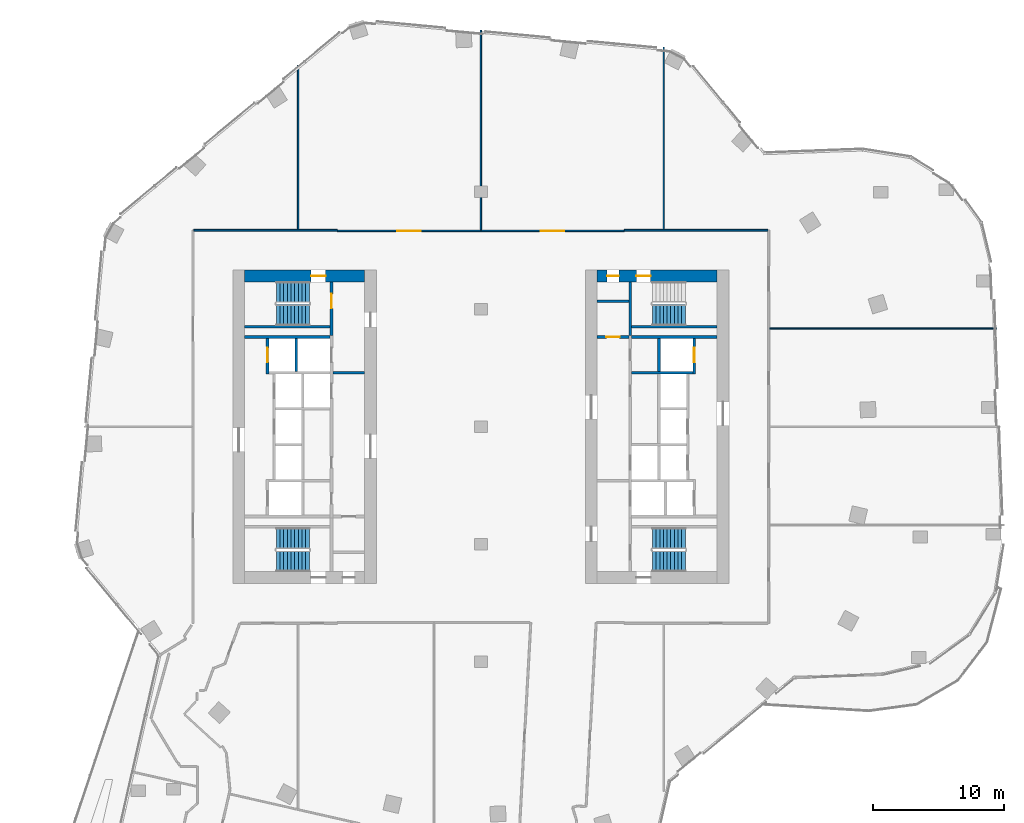
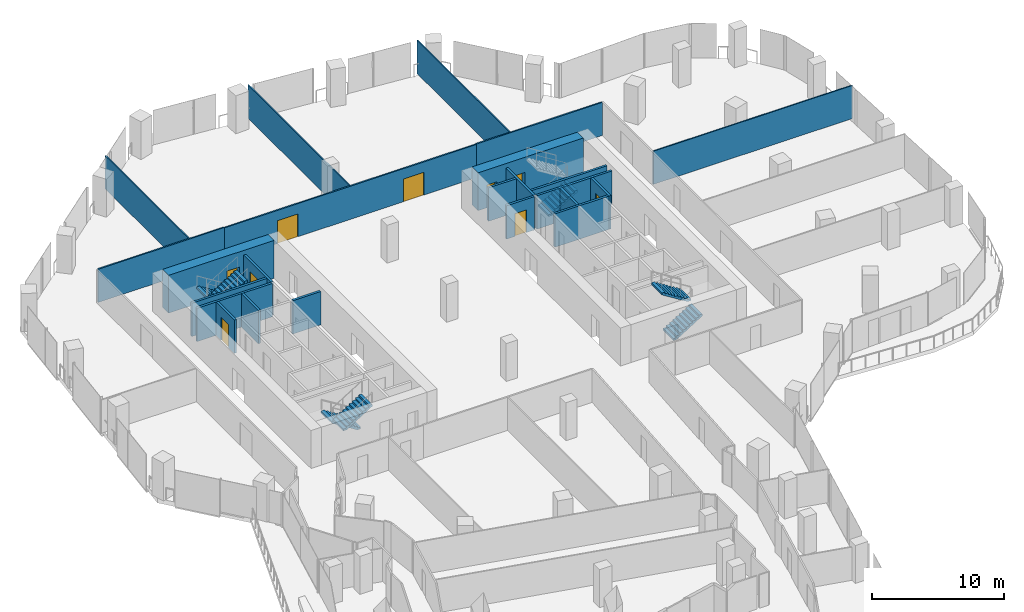
# One storey, part 22 of 28: 23 walls, 9 doors, 7 stair flights, 9 openings, 4 elements without a shape of their own.
"""IFC4 building model written with IfcOpenShell, lengths in metres."""

from ifc_helpers import new_model, si_unit, direction, frame, frame_2d, origin, place, context, subcontext, project, spatial, polyline, rectangle, outline, extrude, material, layer, layer_set, type_object, element, fill, aggregate, save


model = new_model("IFC4")

# Units and contexts
model_context = context("Model", 3, precision=1e-05, world=origin(), true_north=direction((0.0, 1.0)))
body_context = subcontext(model_context, "Body", "Model", "MODEL_VIEW")
ifc_project = project(units=[si_unit("LENGTHUNIT", "METRE"), si_unit("AREAUNIT", "SQUARE_METRE"), si_unit("VOLUMEUNIT", "CUBIC_METRE"), si_unit("PLANEANGLEUNIT", "RADIAN"), si_unit("MASSUNIT", "GRAM", prefix="KILO")], contexts=[model_context])

# Site, building, storey
site_placement = place(None, origin())
site = spatial("IfcSite", under=ifc_project, at=site_placement, CompositionType="ELEMENT")
building_placement = place(site_placement, origin())
building = spatial("IfcBuilding", under=site, at=building_placement, Name="Orlundy Tower", CompositionType="ELEMENT")
storey_placement = place(building_placement, frame((0.0, 0.0, 167.10009765625)))
storey = spatial("IfcBuildingStorey", under=building, at=storey_placement, Name="L43", CompositionType="ELEMENT", Elevation=167.10009765625)

# Wall, opening, door
ifc_material_1 = material(Name="Concrete C70/85", Category="concrete")
ifc_layer_1 = layer(ifc_material_1, 0.89990234375)
ifc_layer_set_1 = layer_set([ifc_layer_1], Name="CORE WALL 900 C70/85")
wall_type_1 = type_object("IfcWallType", Name="CORE WALL 900 C70/85", PredefinedType="SHEAR", material=ifc_layer_set_1)
wall_1_placement = place(storey_placement, frame((-18.10009765625, 11.550048828125, 0.0), z_axis=(0.0, 0.0, 1.0), x_axis=(1.0, 0.0, 0.0)))
wall_1 = element("IfcWall", 1, at=wall_1_placement, inside=storey, type_object=wall_type_1, Name="Core wall W-N L43", PredefinedType="SHEAR", context=body_context, shape_type="SweptSolid", body=[
    extrude(rectangle(XDim=9.2001953125, YDim=0.89990234375, at=frame_2d((4.60009765625, 0.0))), origin(), (0.0, 0.0, 1.0), 3.5),
])
opening_1_placement = place(wall_1_placement, frame((5.10009765625, 0.0, 0.0)))
opening_1 = element("IfcOpeningElement", 2, at=opening_1_placement, cuts=wall_1, Name="Opening 34012", PredefinedType="OPENING", context=body_context, shape_type="SweptSolid", body=[
    extrude(rectangle(XDim=1.10009765625, YDim=2.10009765625, at=frame_2d((0.550048828125, 1.050048828125))), frame((0.0, 0.4599609375, 0.0), z_axis=(0.0, -1.0, 0.0), x_axis=(1.0, 0.0, 0.0)), (0.0, 0.0, 1.0), 0.919921875),
])
ifc_material_2 = material(Name="Steel door set", Category="steel")
door_type_1 = type_object("IfcDoorType", Name="Stair Door 1100x2100", OperationType="SINGLE_SWING_LEFT", PredefinedType="DOOR", material=ifc_material_2)
door_1_placement = place(opening_1_placement, origin())
door_1 = element("IfcDoor", 3, at=door_1_placement, inside=storey, type_object=door_type_1, Name="Stair door 34012", OperationType="SINGLE_SWING_RIGHT", OverallHeight=2.10009765625, OverallWidth=1.10009765625, PredefinedType="DOOR", context=body_context, shape_type="SweptSolid", body=[
    extrude(rectangle(XDim=1.10009765625, YDim=2.10009765625, at=frame_2d((0.550048828125, 1.050048828125))), frame((0.0, 0.02490234375, 0.0), z_axis=(0.0, -1.0, 0.0), x_axis=(1.0, 0.0, 0.0)), (0.0, 0.0, 1.0), 0.050048828125),
])
fill(opening_1, door_1)

# Wall, openings, doors
wall_2_placement = place(storey_placement, frame((8.89990234375, 11.550048828125, 0.0), z_axis=(0.0, 0.0, 1.0), x_axis=(1.0, 0.0, 0.0)))
wall_2 = element("IfcWall", 4, at=wall_2_placement, inside=storey, type_object=wall_type_1, Name="Core wall E-N L43", PredefinedType="SHEAR", context=body_context, shape_type="SweptSolid", body=[
    extrude(rectangle(XDim=9.2001953125, YDim=0.89990234375, at=frame_2d((4.60009765625, 0.0))), origin(), (0.0, 0.0, 1.0), 3.5),
])
opening_2_placement = place(wall_2_placement, frame((3.0, 0.0, 0.0)))
opening_2 = element("IfcOpeningElement", 5, at=opening_2_placement, cuts=wall_2, Name="Opening 34062", PredefinedType="OPENING", context=body_context, shape_type="SweptSolid", body=[
    extrude(rectangle(XDim=1.10009765625, YDim=2.10009765625, at=frame_2d((0.550048828125, 1.050048828125))), frame((0.0, 0.4599609375, 0.0), z_axis=(0.0, -1.0, 0.0), x_axis=(1.0, 0.0, 0.0)), (0.0, 0.0, 1.0), 0.919921875),
])
opening_3_placement = place(wall_2_placement, frame((0.77001953125, 0.0, 0.0)))
opening_3 = element("IfcOpeningElement", 6, at=opening_3_placement, cuts=wall_2, Name="Opening 34064", PredefinedType="OPENING", context=body_context, shape_type="SweptSolid", body=[
    extrude(rectangle(XDim=0.89990234375, YDim=2.10009765625, at=frame_2d((0.449951171875, 1.050048828125))), frame((0.0, 0.4599609375, 0.0), z_axis=(0.0, -1.0, 0.0), x_axis=(1.0, 0.0, 0.0)), (0.0, 0.0, 1.0), 0.919921875),
])
ifc_material_3 = material(Name="Timber door set", Category="wood")
door_type_2 = type_object("IfcDoorType", Name="Room Door 900x2100", OperationType="SINGLE_SWING_LEFT", PredefinedType="DOOR", material=ifc_material_3)
door_2_placement = place(opening_3_placement, origin())
door_2 = element("IfcDoor", 7, at=door_2_placement, inside=storey, type_object=door_type_2, Name="Store door 34064", OperationType="SINGLE_SWING_LEFT", OverallHeight=2.10009765625, OverallWidth=0.89990234375, PredefinedType="DOOR", context=body_context, shape_type="SweptSolid", body=[
    extrude(rectangle(XDim=0.89990234375, YDim=2.10009765625, at=frame_2d((0.449951171875, 1.050048828125))), frame((0.0, 0.02490234375, 0.0), z_axis=(0.0, -1.0, 0.0), x_axis=(1.0, 0.0, 0.0)), (0.0, 0.0, 1.0), 0.050048828125),
])
fill(opening_3, door_2)
door_3_placement = place(opening_2_placement, origin())
door_3 = element("IfcDoor", 8, at=door_3_placement, inside=storey, type_object=door_type_1, Name="Stair door 34062", OperationType="SINGLE_SWING_LEFT", OverallHeight=2.10009765625, OverallWidth=1.10009765625, PredefinedType="DOOR", context=body_context, shape_type="SweptSolid", body=[
    extrude(rectangle(XDim=1.10009765625, YDim=2.10009765625, at=frame_2d((0.550048828125, 1.050048828125))), frame((0.0, 0.02490234375, 0.0), z_axis=(0.0, -1.0, 0.0), x_axis=(1.0, 0.0, 0.0)), (0.0, 0.0, 1.0), 0.050048828125),
])
fill(opening_2, door_3)

# Walls
ifc_material_4 = material(Name="Gypsum board partition")
ifc_layer_2 = layer(ifc_material_4, 0.10009765625)
ifc_layer_set_2 = layer_set([ifc_layer_2], Name="Floor partition 100")
wall_type_2 = type_object("IfcWallType", Name="Floor partition 100", PredefinedType="PARTITIONING", material=ifc_layer_set_2)
wall_3_placement = place(storey_placement, frame((22.113037109375, 7.52392578125, 0.0), z_axis=(0.0, 0.0, 1.0), x_axis=(1.0, 0.0, 0.0)))
element("IfcWall", 9, at=wall_3_placement, inside=storey, type_object=wall_type_2, Name="wall-int-L43-047", PredefinedType="PARTITIONING", context=body_context, shape_type="SweptSolid", body=[
    extrude(rectangle(XDim=17.380859375, YDim=0.10009765625, at=frame_2d((8.6904296875, 0.0))), origin(), (0.0, 0.0, 1.0), 3.059814453125),
])
wall_4_placement = place(storey_placement, frame((14.0, 15.114013671875, 0.0), z_axis=(0.0, 0.0, 1.0), x_axis=(0.0, 1.0, 0.0)))
element("IfcWall", 10, at=wall_4_placement, inside=storey, type_object=wall_type_2, Name="wall-int-L43-082", PredefinedType="PARTITIONING", context=body_context, shape_type="SweptSolid", body=[
    extrude(rectangle(XDim=13.9599609375, YDim=0.10009765625, at=frame_2d((6.97998046875, 0.0))), origin(), (0.0, 0.0, 1.0), 3.059814453125),
])
wall_5_placement = place(storey_placement, frame((0.0, 15.06298828125, 0.0), z_axis=(0.0, 0.0, 1.0), x_axis=(0.0, 1.0, 0.0)))
element("IfcWall", 11, at=wall_5_placement, inside=storey, type_object=wall_type_2, Name="wall-int-L43-089", PredefinedType="PARTITIONING", context=body_context, shape_type="SweptSolid", body=[
    extrude(rectangle(XDim=15.319091796875, YDim=0.10009765625, at=frame_2d((7.65966796875, 0.0))), origin(), (0.0, 0.0, 1.0), 3.059814453125),
])
wall_6_placement = place(storey_placement, frame((-14.0, 15.114013671875, 0.0), z_axis=(0.0, 0.0, 1.0), x_axis=(0.0, 1.0, 0.0)))
element("IfcWall", 12, at=wall_6_placement, inside=storey, type_object=wall_type_2, Name="wall-int-L43-093", PredefinedType="PARTITIONING", context=body_context, shape_type="SweptSolid", body=[
    extrude(rectangle(XDim=12.573974609375, YDim=0.10009765625, at=frame_2d((6.287109375, 0.0))), origin(), (0.0, 0.0, 1.0), 3.059814453125),
])

# Wall, openings, doors
ifc_material_5 = material(Name="Gypsum board partition, double layer")
ifc_layer_3 = layer(ifc_material_5, 0.125)
ifc_layer_set_3 = layer_set([ifc_layer_3], Name="Floor partition 125")
wall_type_3 = type_object("IfcWallType", Name="Floor partition 125", PredefinedType="PARTITIONING", material=ifc_layer_set_3)
wall_7_placement = place(storey_placement, frame((-10.989990234375, 15.0009765625, 0.0), z_axis=(0.0, 0.0, 1.0), x_axis=(1.0, 0.0, 0.0)))
wall_7 = element("IfcWall", 13, at=wall_7_placement, inside=storey, type_object=wall_type_3, Name="wall-int-L43-048", PredefinedType="PARTITIONING", context=body_context, shape_type="SweptSolid", body=[
    extrude(rectangle(XDim=21.97998046875, YDim=0.125, at=frame_2d((10.989990234375, 0.0))), origin(), (0.0, 0.0, 1.0), 3.059814453125),
])
opening_4_placement = place(wall_7_placement, frame((15.590087890625, 0.0, 0.0)))
opening_4 = element("IfcOpeningElement", 14, at=opening_4_placement, cuts=wall_7, Name="Opening 34120", PredefinedType="OPENING", context=body_context, shape_type="SweptSolid", body=[
    extrude(rectangle(XDim=1.800048828125, YDim=2.10009765625, at=frame_2d((0.89990234375, 1.050048828125))), frame((0.0, 0.072509765625, 0.0), z_axis=(0.0, -1.0, 0.0), x_axis=(1.0, 0.0, 0.0)), (0.0, 0.0, 1.0), 0.14501953125),
])
opening_5_placement = place(wall_7_placement, frame((4.60009765625, 0.0, 0.0)))
opening_5 = element("IfcOpeningElement", 15, at=opening_5_placement, cuts=wall_7, Name="Opening 34121", PredefinedType="OPENING", context=body_context, shape_type="SweptSolid", body=[
    extrude(rectangle(XDim=1.800048828125, YDim=2.10009765625, at=frame_2d((0.89990234375, 1.050048828125))), frame((0.0, 0.072509765625, 0.0), z_axis=(0.0, -1.0, 0.0), x_axis=(1.0, 0.0, 0.0)), (0.0, 0.0, 1.0), 0.14501953125),
])
ifc_material_6 = material(Name="Timber door leaf", Category="wood")
door_type_3 = type_object("IfcDoorType", Name="Floor door double 1800 FD30S", OperationType="NOTDEFINED", PredefinedType="DOOR", material=ifc_material_6)
door_4_placement = place(opening_4_placement, origin())
door_4 = element("IfcDoor", 16, at=door_4_placement, inside=storey, type_object=door_type_3, Name="Door 34120", OperationType="DOUBLE_DOOR_SINGLE_SWING", OverallHeight=2.10009765625, OverallWidth=1.800048828125, PredefinedType="DOOR", context=body_context, shape_type="SweptSolid", body=[
    extrude(rectangle(XDim=1.800048828125, YDim=2.10009765625, at=frame_2d((0.89990234375, 1.050048828125))), frame((0.0, 0.02490234375, 0.0), z_axis=(0.0, -1.0, 0.0), x_axis=(1.0, 0.0, 0.0)), (0.0, 0.0, 1.0), 0.050048828125),
])
fill(opening_4, door_4)
door_5_placement = place(opening_5_placement, origin())
door_5 = element("IfcDoor", 17, at=door_5_placement, inside=storey, type_object=door_type_3, Name="Door 34121", OperationType="DOUBLE_DOOR_SINGLE_SWING", OverallHeight=2.10009765625, OverallWidth=1.800048828125, PredefinedType="DOOR", context=body_context, shape_type="SweptSolid", body=[
    extrude(rectangle(XDim=1.800048828125, YDim=2.10009765625, at=frame_2d((0.89990234375, 1.050048828125))), frame((0.0, 0.02490234375, 0.0), z_axis=(0.0, -1.0, 0.0), x_axis=(1.0, 0.0, 0.0)), (0.0, 0.0, 1.0), 0.050048828125),
])
fill(opening_5, door_5)

# Walls
for number, where, z_axis, x_axis, name in (
    (18, (-21.988037109375, 15.051025390625, 0.0), (0.0, 0.0, 1.0), (1.0, 0.0, 0.0), "wall-int-L43-049"),
    (19, (10.990966796875, 15.051025390625, 0.0), (0.0, 0.0, 1.0), (1.0, 0.0, 0.0), "wall-int-L43-050"),
):
    element("IfcWall", number, at=place(storey_placement, frame(where, z_axis=z_axis, x_axis=x_axis)), inside=storey, type_object=wall_type_3, Name=name, PredefinedType="PARTITIONING", context=body_context, shape_type="SweptSolid", body=[
        extrude(rectangle(XDim=10.9970703125, YDim=0.125, at=frame_2d((5.49853515625, 0.0))), origin(), (0.0, 0.0, 1.0), 3.059814453125),
    ])

# Wall, opening, door
ifc_material_7 = material(Name="Concrete C40/50", Category="concrete")
ifc_layer_4 = layer(ifc_material_7, 0.199951171875)
ifc_layer_set_4 = layer_set([ifc_layer_4], Name="Load-bearing Shaft Wall 200")
wall_type_4 = type_object("IfcWallType", Name="Load-bearing Shaft Wall 200", PredefinedType="SOLIDWALL", material=ifc_layer_set_4)
wall_8_placement = place(storey_placement, frame((-11.43994140625, 6.97509765625, 0.0), z_axis=(0.0, 0.0, 1.0), x_axis=(0.0, 1.0, 0.0)))
wall_8 = element("IfcWall", 20, at=wall_8_placement, inside=storey, type_object=wall_type_4, Name="Shaft wall W34-stair-end-n", PredefinedType="SOLIDWALL", context=body_context, shape_type="SweptSolid", body=[
    extrude(rectangle(XDim=4.125, YDim=0.199951171875, at=frame_2d((2.0625, 0.0))), origin(), (0.0, 0.0, 1.0), 3.079833984375),
])
opening_6_placement = place(wall_8_placement, frame((2.10009765625, 0.0, 0.0)))
opening_6 = element("IfcOpeningElement", 21, at=opening_6_placement, cuts=wall_8, Name="Opening 34014", PredefinedType="OPENING", context=body_context, shape_type="SweptSolid", body=[
    extrude(rectangle(XDim=1.10009765625, YDim=2.10009765625, at=frame_2d((0.550048828125, 1.050048828125))), frame((0.0, 0.110107421875, 0.0), z_axis=(0.0, -1.0, 0.0), x_axis=(1.0, 0.0, 0.0)), (0.0, 0.0, 1.0), 0.22021484375),
])
ifc_material_8 = material(Name="Steel door set", Category="steel")
door_type_4 = type_object("IfcDoorType", Name="Fire-fighting Lobby Door 1100x2100", OperationType="SINGLE_SWING_LEFT", PredefinedType="DOOR", material=ifc_material_8)
door_6_placement = place(opening_6_placement, origin())
door_6 = element("IfcDoor", 22, at=door_6_placement, inside=storey, type_object=door_type_4, Name="Fire-fighting lobby to stair door 34014", OperationType="SINGLE_SWING_RIGHT", OverallHeight=2.10009765625, OverallWidth=1.10009765625, PredefinedType="DOOR", context=body_context, shape_type="SweptSolid", body=[
    extrude(rectangle(XDim=1.10009765625, YDim=2.10009765625, at=frame_2d((0.550048828125, 1.050048828125))), frame((0.0, 0.02490234375, 0.0), z_axis=(0.0, -1.0, 0.0), x_axis=(1.0, 0.0, 0.0)), (0.0, 0.0, 1.0), 0.050048828125),
])
fill(opening_6, door_6)

# Walls
wall_9_placement = place(storey_placement, frame((-11.5400390625, 7.64990234375, 0.0), z_axis=(0.0, 0.0, 1.0), x_axis=(-1.0, 0.0, 0.0)))
element("IfcWall", 23, at=wall_9_placement, inside=storey, type_object=wall_type_4, Name="Shaft wall W34-stair-side-n", PredefinedType="SOLIDWALL", context=body_context, shape_type="SweptSolid", body=[
    extrude(rectangle(XDim=6.56005859375, YDim=0.199951171875, at=frame_2d((3.280029296875, 0.0))), origin(), (0.0, 0.0, 1.0), 3.079833984375),
])
wall_10_placement = place(storey_placement, frame((11.43994140625, 11.10009765625, 0.0), z_axis=(0.0, 0.0, 1.0), x_axis=(0.0, -1.0, 0.0)))
element("IfcWall", 24, at=wall_10_placement, inside=storey, type_object=wall_type_4, Name="Shaft wall E34-stair-end-s", PredefinedType="SOLIDWALL", context=body_context, shape_type="SweptSolid", body=[
    extrude(rectangle(XDim=4.125, YDim=0.199951171875, at=frame_2d((2.0625, 0.0))), origin(), (0.0, 0.0, 1.0), 3.079833984375),
])
wall_11_placement = place(storey_placement, frame((11.5400390625, 7.64990234375, 0.0), z_axis=(0.0, 0.0, 1.0), x_axis=(1.0, 0.0, 0.0)))
element("IfcWall", 25, at=wall_11_placement, inside=storey, type_object=wall_type_4, Name="Shaft wall E34-stair-side-s", PredefinedType="SOLIDWALL", context=body_context, shape_type="SweptSolid", body=[
    extrude(rectangle(XDim=6.56005859375, YDim=0.199951171875, at=frame_2d((3.280029296875, 0.0))), origin(), (0.0, 0.0, 1.0), 3.079833984375),
])
ifc_material_9 = material(Name="Gypsum board partition on steel studs", Category="steel")
ifc_layer_5 = layer(ifc_material_9, 0.199951171875)
ifc_layer_set_5 = layer_set([ifc_layer_5], Name="Partition 200")
wall_type_5 = type_object("IfcWallType", Name="Partition 200", PredefinedType="PARTITIONING", material=ifc_layer_set_5)
wall_12_placement = place(storey_placement, frame((-8.89990234375, 4.125, 0.0), z_axis=(0.0, 0.0, 1.0), x_axis=(-1.0, 0.0, 0.0)))
element("IfcWall", 26, at=wall_12_placement, inside=storey, type_object=wall_type_5, Name="Partition wall W34-lobby-n", PredefinedType="PARTITIONING", context=body_context, shape_type="SweptSolid", body=[
    extrude(rectangle(XDim=2.440185546875, YDim=0.199951171875, at=frame_2d((1.22021484375, 0.0))), origin(), (0.0, 0.0, 1.0), 3.079833984375),
])

# Wall, opening, door
wall_13_placement = place(storey_placement, frame((8.89990234375, 6.875, 0.0), z_axis=(0.0, 0.0, 1.0), x_axis=(1.0, 0.0, 0.0)))
wall_13 = element("IfcWall", 27, at=wall_13_placement, inside=storey, type_object=wall_type_5, Name="Partition wall E34-end-s", PredefinedType="PARTITIONING", context=body_context, shape_type="SweptSolid", body=[
    extrude(rectangle(XDim=2.440185546875, YDim=0.199951171875, at=frame_2d((1.22021484375, 0.0))), origin(), (0.0, 0.0, 1.0), 3.079833984375),
])
opening_7_placement = place(wall_13_placement, frame((0.719970703125, 0.0, 0.0)))
opening_7 = element("IfcOpeningElement", 28, at=opening_7_placement, cuts=wall_13, Name="Opening 34065", PredefinedType="OPENING", context=body_context, shape_type="SweptSolid", body=[
    extrude(rectangle(XDim=1.0, YDim=2.10009765625, at=frame_2d((0.5, 1.050048828125))), frame((0.0, 0.110107421875, 0.0), z_axis=(0.0, -1.0, 0.0), x_axis=(1.0, 0.0, 0.0)), (0.0, 0.0, 1.0), 0.22021484375),
])
ifc_material_10 = material(Name="Timber door set", Category="wood")
door_type_5 = type_object("IfcDoorType", Name="Accessible Door 1000x2100", OperationType="SINGLE_SWING_LEFT", PredefinedType="DOOR", material=ifc_material_10)
door_7_placement = place(opening_7_placement, origin())
door_7 = element("IfcDoor", 29, at=door_7_placement, inside=storey, type_object=door_type_5, Name="Accessible WC door 34065", OperationType="SINGLE_SWING_RIGHT", OverallHeight=2.10009765625, OverallWidth=1.0, PredefinedType="DOOR", context=body_context, shape_type="SweptSolid", body=[
    extrude(rectangle(XDim=1.0, YDim=2.10009765625, at=frame_2d((0.5, 1.050048828125))), frame((0.0, 0.02490234375, 0.0), z_axis=(0.0, -1.0, 0.0), x_axis=(1.0, 0.0, 0.0)), (0.0, 0.0, 1.0), 0.050048828125),
])
fill(opening_7, door_7)

# Walls
wall_14_placement = place(storey_placement, frame((8.89990234375, 9.60009765625, 0.0), z_axis=(0.0, 0.0, 1.0), x_axis=(1.0, 0.0, 0.0)))
element("IfcWall", 30, at=wall_14_placement, inside=storey, type_object=wall_type_5, Name="Partition wall E34-room-s0", PredefinedType="PARTITIONING", context=body_context, shape_type="SweptSolid", body=[
    extrude(rectangle(XDim=2.440185546875, YDim=0.199951171875, at=frame_2d((1.22021484375, 0.0))), origin(), (0.0, 0.0, 1.0), 3.079833984375),
])
ifc_material_11 = material(Name="Fire-rated blockwork shaft wall", Category="masonry")
ifc_layer_6 = layer(ifc_material_11, 0.199951171875)
ifc_layer_set_6 = layer_set([ifc_layer_6], Name="Shaft Wall 200")
wall_type_6 = type_object("IfcWallType", Name="Shaft Wall 200", PredefinedType="SOLIDWALL", material=ifc_layer_set_6)
wall_15_placement = place(storey_placement, frame((-11.5400390625, 6.875, 0.0), z_axis=(0.0, 0.0, 1.0), x_axis=(-1.0, 0.0, 0.0)))
element("IfcWall", 31, at=wall_15_placement, inside=storey, type_object=wall_type_6, Name="Shaft wall W34-zone-n", PredefinedType="SOLIDWALL", context=body_context, shape_type="SweptSolid", body=[
    extrude(rectangle(XDim=6.56005859375, YDim=0.199951171875, at=frame_2d((3.280029296875, 0.0))), origin(), (0.0, 0.0, 1.0), 3.079833984375),
])
wall_16_placement = place(storey_placement, frame((-14.139892578125, 4.22509765625, 0.0), z_axis=(0.0, 0.0, 1.0), x_axis=(0.0, 1.0, 0.0)))
element("IfcWall", 32, at=wall_16_placement, inside=storey, type_object=wall_type_6, Name="Shaft wall W34-mid-b", PredefinedType="SOLIDWALL", context=body_context, shape_type="SweptSolid", body=[
    extrude(rectangle(XDim=2.5498046875, YDim=0.199951171875, at=frame_2d((1.27490234375, 0.0))), origin(), (0.0, 0.0, 1.0), 3.079833984375),
])

# Wall, opening, door
wall_17_placement = place(storey_placement, frame((-16.340087890625, 4.02490234375, 0.0), z_axis=(0.0, 0.0, 1.0), x_axis=(0.0, 1.0, 0.0)))
wall_17 = element("IfcWall", 33, at=wall_17_placement, inside=storey, type_object=wall_type_6, Name="Shaft wall W34-front-o-c", PredefinedType="SOLIDWALL", context=body_context, shape_type="SweptSolid", body=[
    extrude(rectangle(XDim=2.75, YDim=0.199951171875, at=frame_2d((1.375, 0.0))), origin(), (0.0, 0.0, 1.0), 3.079833984375),
])
opening_8_placement = place(wall_17_placement, frame((0.925048828125, 0.0, 0.0)))
opening_8 = element("IfcOpeningElement", 34, at=opening_8_placement, cuts=wall_17, Name="Opening 34006", PredefinedType="OPENING", context=body_context, shape_type="SweptSolid", body=[
    extrude(rectangle(XDim=1.10009765625, YDim=2.10009765625, at=frame_2d((0.550048828125, 1.050048828125))), frame((0.0, 0.110107421875, 0.0), z_axis=(0.0, -1.0, 0.0), x_axis=(1.0, 0.0, 0.0)), (0.0, 0.0, 1.0), 0.22021484375),
])
ifc_material_12 = material(Name="Steel door set", Category="steel")
door_type_6 = type_object("IfcDoorType", Name="Landing Door 1100x2100", OperationType="DOUBLE_DOOR_SLIDING", PredefinedType="DOOR", material=ifc_material_12)
door_8_placement = place(opening_8_placement, origin())
door_8 = element("IfcDoor", 35, at=door_8_placement, inside=storey, type_object=door_type_6, Name="Lift landing door LP-14 34006", OperationType="DOUBLE_DOOR_SLIDING", OverallHeight=2.10009765625, OverallWidth=1.10009765625, PredefinedType="DOOR", context=body_context, shape_type="SweptSolid", body=[
    extrude(rectangle(XDim=1.10009765625, YDim=2.10009765625, at=frame_2d((0.550048828125, 1.050048828125))), frame((0.0, 0.02490234375, 0.0), z_axis=(0.0, -1.0, 0.0), x_axis=(1.0, 0.0, 0.0)), (0.0, 0.0, 1.0), 0.050048828125),
])
fill(opening_8, door_8)

# Walls
wall_18_placement = place(storey_placement, frame((11.5400390625, 6.875, 0.0), z_axis=(0.0, 0.0, 1.0), x_axis=(1.0, 0.0, 0.0)))
element("IfcWall", 36, at=wall_18_placement, inside=storey, type_object=wall_type_6, Name="Shaft wall E34-zone-s", PredefinedType="SOLIDWALL", context=body_context, shape_type="SweptSolid", body=[
    extrude(rectangle(XDim=6.56005859375, YDim=0.199951171875, at=frame_2d((3.280029296875, 0.0))), origin(), (0.0, 0.0, 1.0), 3.079833984375),
])
wall_19_placement = place(storey_placement, frame((11.5400390625, 4.125, 0.0), z_axis=(0.0, 0.0, 1.0), x_axis=(1.0, 0.0, 0.0)))
element("IfcWall", 37, at=wall_19_placement, inside=storey, type_object=wall_type_6, Name="Shaft wall E34-cross-4.125", PredefinedType="SOLIDWALL", context=body_context, shape_type="SweptSolid", body=[
    extrude(rectangle(XDim=4.699951171875, YDim=0.199951171875, at=frame_2d((2.35009765625, 0.0))), origin(), (0.0, 0.0, 1.0), 3.079833984375),
])
wall_20_placement = place(storey_placement, frame((13.639892578125, 6.77490234375, 0.0), z_axis=(0.0, 0.0, 1.0), x_axis=(0.0, -1.0, 0.0)))
element("IfcWall", 38, at=wall_20_placement, inside=storey, type_object=wall_type_6, Name="Shaft wall E34-mid-a", PredefinedType="SOLIDWALL", context=body_context, shape_type="SweptSolid", body=[
    extrude(rectangle(XDim=2.5498046875, YDim=0.199951171875, at=frame_2d((1.27490234375, 0.0))), origin(), (0.0, 0.0, 1.0), 3.079833984375),
])

# Wall, opening, door
wall_21_placement = place(storey_placement, frame((16.340087890625, 6.77490234375, 0.0), z_axis=(0.0, 0.0, 1.0), x_axis=(0.0, -1.0, 0.0)))
wall_21 = element("IfcWall", 39, at=wall_21_placement, inside=storey, type_object=wall_type_6, Name="Shaft wall E34-front-o-a", PredefinedType="SOLIDWALL", context=body_context, shape_type="SweptSolid", body=[
    extrude(rectangle(XDim=2.75, YDim=0.199951171875, at=frame_2d((1.375, 0.0))), origin(), (0.0, 0.0, 1.0), 3.079833984375),
])
opening_9_placement = place(wall_21_placement, frame((0.72509765625, 0.0, 0.0)))
opening_9 = element("IfcOpeningElement", 40, at=opening_9_placement, cuts=wall_21, Name="Opening 34050", PredefinedType="OPENING", context=body_context, shape_type="SweptSolid", body=[
    extrude(rectangle(XDim=1.10009765625, YDim=2.10009765625, at=frame_2d((0.550048828125, 1.050048828125))), frame((0.0, 0.110107421875, 0.0), z_axis=(0.0, -1.0, 0.0), x_axis=(1.0, 0.0, 0.0)), (0.0, 0.0, 1.0), 0.22021484375),
])
door_9_placement = place(opening_9_placement, origin())
door_9 = element("IfcDoor", 41, at=door_9_placement, inside=storey, type_object=door_type_6, Name="Lift landing door LV-02 34050", OperationType="DOUBLE_DOOR_SLIDING", OverallHeight=2.10009765625, OverallWidth=1.10009765625, PredefinedType="DOOR", context=body_context, shape_type="SweptSolid", body=[
    extrude(rectangle(XDim=1.10009765625, YDim=2.10009765625, at=frame_2d((0.550048828125, 1.050048828125))), frame((0.0, 0.02490234375, 0.0), z_axis=(0.0, -1.0, 0.0), x_axis=(1.0, 0.0, 0.0)), (0.0, 0.0, 1.0), 0.050048828125),
])
fill(opening_9, door_9)

# Stair, stair flights
ifc_material_13 = material(Name="Concrete C50/60", Category="concrete")
stair_type = type_object("IfcStairType", Name="Exit Stair 20 risers", PredefinedType="HALF_TURN_STAIR", material=ifc_material_13)
stair_1_placement = place(storey_placement, origin())
stair_1 = element("IfcStair", 42, at=stair_1_placement, inside=storey, type_object=stair_type, Name="L43 Exit Stair ST-W1", PredefinedType="HALF_TURN_STAIR")
ifc_material_14 = material(Name="Concrete C50/60", Category="concrete")
stair_flight_type = type_object("IfcStairFlightType", Name="Stair Flight 10 risers", PredefinedType="STRAIGHT", material=ifc_material_14)
stair_flight_1_placement = place(storey_placement, frame((-13.139892578125, 10.300048828125, 0.0), z_axis=(0.0, 0.0, 1.0), x_axis=(-1.0, 0.0, 0.0)))
stair_flight_1 = element("IfcStairFlight", 43, at=stair_flight_1_placement, type_object=stair_flight_type, Name="ST-W1 flight 1", NumberOfRisers=10, NumberOfTreads=9, PredefinedType="STRAIGHT", RiserHeight=0.175, TreadLength=0.28, context=body_context, shape_type="SweptSolid", body=[
    extrude(outline(polyline([(0.0, 0.0), (0.0, 0.175048828125), (0.280029296875, 0.175048828125), (0.280029296875, 0.35009765625), (0.56005859375, 0.35009765625), (0.56005859375, 0.52490234375), (0.840087890625, 0.52490234375), (0.840087890625, 0.699951171875), (1.1201171875, 0.699951171875), (1.1201171875, 0.875), (1.39990234375, 0.875), (1.39990234375, 1.050048828125), (1.679931640625, 1.050048828125), (1.679931640625, 1.22509765625), (1.9599609375, 1.22509765625), (1.9599609375, 1.39990234375), (2.239990234375, 1.39990234375), (2.239990234375, 1.574951171875), (2.52001953125, 1.574951171875), (2.52001953125, 1.75), (2.52001953125, 1.398193359375), (0.28271484375, 0.0), (0.0, 0.0)])), frame((0.0, 0.800048828125, 0.0), z_axis=(0.0, -1.0, 0.0), x_axis=(1.0, 0.0, 0.0)), (0.0, 0.0, 1.0), 1.60009765625),
])
stair_flight_2_placement = place(storey_placement, frame((-15.659912109375, 8.550048828125, 1.75), z_axis=(0.0, 0.0, 1.0), x_axis=(1.0, 0.0, 0.0)))
stair_flight_2 = element("IfcStairFlight", 44, at=stair_flight_2_placement, type_object=stair_flight_type, Name="ST-W1 flight 2", NumberOfRisers=10, NumberOfTreads=9, PredefinedType="STRAIGHT", RiserHeight=0.175, TreadLength=0.28, context=body_context, shape_type="SweptSolid", body=[
    extrude(outline(polyline([(0.0, 0.0), (0.0, 0.175048828125), (0.280029296875, 0.175048828125), (0.280029296875, 0.35009765625), (0.56005859375, 0.35009765625), (0.56005859375, 0.52490234375), (0.840087890625, 0.52490234375), (0.840087890625, 0.699951171875), (1.1201171875, 0.699951171875), (1.1201171875, 0.875), (1.39990234375, 0.875), (1.39990234375, 1.050048828125), (1.679931640625, 1.050048828125), (1.679931640625, 1.22509765625), (1.9599609375, 1.22509765625), (1.9599609375, 1.39990234375), (2.239990234375, 1.39990234375), (2.239990234375, 1.574951171875), (2.52001953125, 1.574951171875), (2.52001953125, 1.75), (2.52001953125, 1.398193359375), (0.28271484375, 0.0), (0.0, 0.0)])), frame((0.0, 0.800048828125, 0.0), z_axis=(0.0, -1.0, 0.0), x_axis=(1.0, 0.0, 0.0)), (0.0, 0.0, 1.0), 1.60009765625),
])
aggregate(stair_1, [stair_flight_1, stair_flight_2])

stair_2_placement = place(storey_placement, origin())
stair_2 = element("IfcStair", 45, at=stair_2_placement, inside=storey, type_object=stair_type, Name="L43 Exit Stair ST-W2", PredefinedType="HALF_TURN_STAIR")
stair_flight_3_placement = place(storey_placement, frame((-13.139892578125, -8.550048828125, 0.0), z_axis=(0.0, 0.0, 1.0), x_axis=(-1.0, 0.0, 0.0)))
stair_flight_3 = element("IfcStairFlight", 46, at=stair_flight_3_placement, type_object=stair_flight_type, Name="ST-W2 flight 1", NumberOfRisers=10, NumberOfTreads=9, PredefinedType="STRAIGHT", RiserHeight=0.175, TreadLength=0.28, context=body_context, shape_type="SweptSolid", body=[
    extrude(outline(polyline([(0.0, 0.0), (0.0, 0.175048828125), (0.280029296875, 0.175048828125), (0.280029296875, 0.35009765625), (0.56005859375, 0.35009765625), (0.56005859375, 0.52490234375), (0.840087890625, 0.52490234375), (0.840087890625, 0.699951171875), (1.1201171875, 0.699951171875), (1.1201171875, 0.875), (1.39990234375, 0.875), (1.39990234375, 1.050048828125), (1.679931640625, 1.050048828125), (1.679931640625, 1.22509765625), (1.9599609375, 1.22509765625), (1.9599609375, 1.39990234375), (2.239990234375, 1.39990234375), (2.239990234375, 1.574951171875), (2.52001953125, 1.574951171875), (2.52001953125, 1.75), (2.52001953125, 1.398193359375), (0.28271484375, 0.0), (0.0, 0.0)])), frame((0.0, 0.800048828125, 0.0), z_axis=(0.0, -1.0, 0.0), x_axis=(1.0, 0.0, 0.0)), (0.0, 0.0, 1.0), 1.60009765625),
])
stair_flight_4_placement = place(storey_placement, frame((-15.659912109375, -10.300048828125, 1.75), z_axis=(0.0, 0.0, 1.0), x_axis=(1.0, 0.0, 0.0)))
stair_flight_4 = element("IfcStairFlight", 47, at=stair_flight_4_placement, type_object=stair_flight_type, Name="ST-W2 flight 2", NumberOfRisers=10, NumberOfTreads=9, PredefinedType="STRAIGHT", RiserHeight=0.175, TreadLength=0.28, context=body_context, shape_type="SweptSolid", body=[
    extrude(outline(polyline([(0.0, 0.0), (0.0, 0.175048828125), (0.280029296875, 0.175048828125), (0.280029296875, 0.35009765625), (0.56005859375, 0.35009765625), (0.56005859375, 0.52490234375), (0.840087890625, 0.52490234375), (0.840087890625, 0.699951171875), (1.1201171875, 0.699951171875), (1.1201171875, 0.875), (1.39990234375, 0.875), (1.39990234375, 1.050048828125), (1.679931640625, 1.050048828125), (1.679931640625, 1.22509765625), (1.9599609375, 1.22509765625), (1.9599609375, 1.39990234375), (2.239990234375, 1.39990234375), (2.239990234375, 1.574951171875), (2.52001953125, 1.574951171875), (2.52001953125, 1.75), (2.52001953125, 1.398193359375), (0.28271484375, 0.0), (0.0, 0.0)])), frame((0.0, 0.800048828125, 0.0), z_axis=(0.0, -1.0, 0.0), x_axis=(1.0, 0.0, 0.0)), (0.0, 0.0, 1.0), 1.60009765625),
])
aggregate(stair_2, [stair_flight_3, stair_flight_4])

stair_3_placement = place(storey_placement, origin())
stair_3 = element("IfcStair", 48, at=stair_3_placement, inside=storey, type_object=stair_type, Name="L43 Exit Stair ST-E1", PredefinedType="HALF_TURN_STAIR")
stair_flight_5_placement = place(storey_placement, frame((13.139892578125, -10.300048828125, 0.0), z_axis=(0.0, 0.0, 1.0), x_axis=(1.0, 0.0, 0.0)))
stair_flight_5 = element("IfcStairFlight", 49, at=stair_flight_5_placement, type_object=stair_flight_type, Name="ST-E1 flight 1", NumberOfRisers=10, NumberOfTreads=9, PredefinedType="STRAIGHT", RiserHeight=0.175, TreadLength=0.28, context=body_context, shape_type="SweptSolid", body=[
    extrude(outline(polyline([(0.0, 0.0), (0.0, 0.175048828125), (0.280029296875, 0.175048828125), (0.280029296875, 0.35009765625), (0.56005859375, 0.35009765625), (0.56005859375, 0.52490234375), (0.840087890625, 0.52490234375), (0.840087890625, 0.699951171875), (1.1201171875, 0.699951171875), (1.1201171875, 0.875), (1.39990234375, 0.875), (1.39990234375, 1.050048828125), (1.679931640625, 1.050048828125), (1.679931640625, 1.22509765625), (1.9599609375, 1.22509765625), (1.9599609375, 1.39990234375), (2.239990234375, 1.39990234375), (2.239990234375, 1.574951171875), (2.52001953125, 1.574951171875), (2.52001953125, 1.75), (2.52001953125, 1.398193359375), (0.28271484375, 0.0), (0.0, 0.0)])), frame((0.0, 0.800048828125, 0.0), z_axis=(0.0, -1.0, 0.0), x_axis=(1.0, 0.0, 0.0)), (0.0, 0.0, 1.0), 1.60009765625),
])
stair_flight_6_placement = place(storey_placement, frame((15.659912109375, -8.550048828125, 1.75), z_axis=(0.0, 0.0, 1.0), x_axis=(-1.0, 0.0, 0.0)))
stair_flight_6 = element("IfcStairFlight", 50, at=stair_flight_6_placement, type_object=stair_flight_type, Name="ST-E1 flight 2", NumberOfRisers=10, NumberOfTreads=9, PredefinedType="STRAIGHT", RiserHeight=0.175, TreadLength=0.28, context=body_context, shape_type="SweptSolid", body=[
    extrude(outline(polyline([(0.0, 0.0), (0.0, 0.175048828125), (0.280029296875, 0.175048828125), (0.280029296875, 0.35009765625), (0.56005859375, 0.35009765625), (0.56005859375, 0.52490234375), (0.840087890625, 0.52490234375), (0.840087890625, 0.699951171875), (1.1201171875, 0.699951171875), (1.1201171875, 0.875), (1.39990234375, 0.875), (1.39990234375, 1.050048828125), (1.679931640625, 1.050048828125), (1.679931640625, 1.22509765625), (1.9599609375, 1.22509765625), (1.9599609375, 1.39990234375), (2.239990234375, 1.39990234375), (2.239990234375, 1.574951171875), (2.52001953125, 1.574951171875), (2.52001953125, 1.75), (2.52001953125, 1.398193359375), (0.28271484375, 0.0), (0.0, 0.0)])), frame((0.0, 0.800048828125, 0.0), z_axis=(0.0, -1.0, 0.0), x_axis=(1.0, 0.0, 0.0)), (0.0, 0.0, 1.0), 1.60009765625),
])
aggregate(stair_3, [stair_flight_5, stair_flight_6])

# Stair, stair flight
stair_4_placement = place(storey_placement, origin())
stair_4 = element("IfcStair", 51, at=stair_4_placement, inside=storey, type_object=stair_type, Name="L43 Exit Stair ST-E2", PredefinedType="HALF_TURN_STAIR")
stair_flight_7_placement = place(storey_placement, frame((13.139892578125, 8.550048828125, 0.0), z_axis=(0.0, 0.0, 1.0), x_axis=(1.0, 0.0, 0.0)))
stair_flight_7 = element("IfcStairFlight", 52, at=stair_flight_7_placement, type_object=stair_flight_type, Name="ST-E2 flight 1", NumberOfRisers=10, NumberOfTreads=9, PredefinedType="STRAIGHT", RiserHeight=0.175, TreadLength=0.28, context=body_context, shape_type="SweptSolid", body=[
    extrude(outline(polyline([(0.0, 0.0), (0.0, 0.175048828125), (0.280029296875, 0.175048828125), (0.280029296875, 0.35009765625), (0.56005859375, 0.35009765625), (0.56005859375, 0.52490234375), (0.840087890625, 0.52490234375), (0.840087890625, 0.699951171875), (1.1201171875, 0.699951171875), (1.1201171875, 0.875), (1.39990234375, 0.875), (1.39990234375, 1.050048828125), (1.679931640625, 1.050048828125), (1.679931640625, 1.22509765625), (1.9599609375, 1.22509765625), (1.9599609375, 1.39990234375), (2.239990234375, 1.39990234375), (2.239990234375, 1.574951171875), (2.52001953125, 1.574951171875), (2.52001953125, 1.75), (2.52001953125, 1.398193359375), (0.28271484375, 0.0), (0.0, 0.0)])), frame((0.0, 0.800048828125, 0.0), z_axis=(0.0, -1.0, 0.0), x_axis=(1.0, 0.0, 0.0)), (0.0, 0.0, 1.0), 1.60009765625),
])
aggregate(stair_4, [stair_flight_7])

save(model, "model.ifc")
